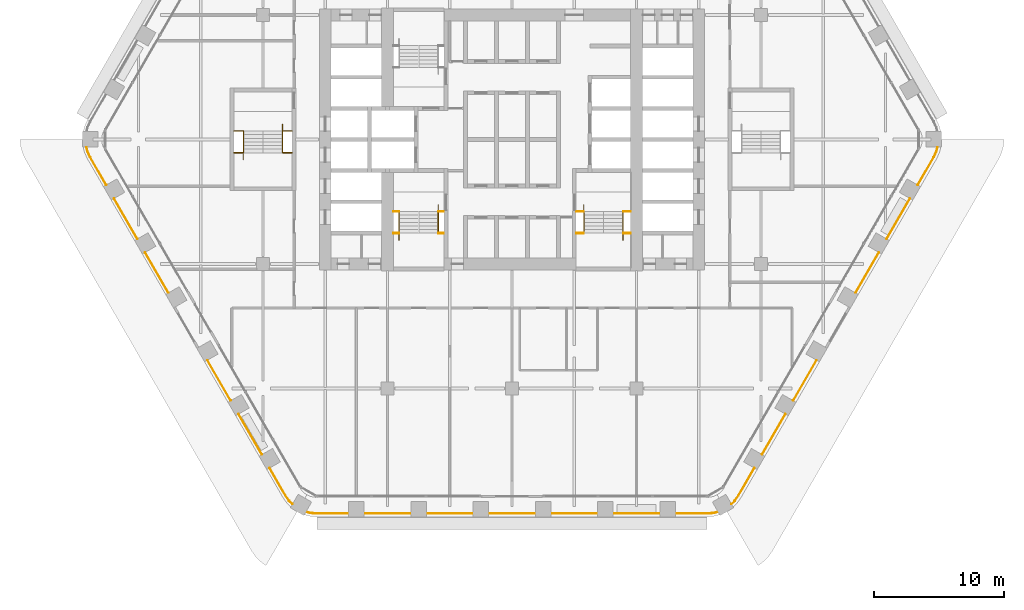
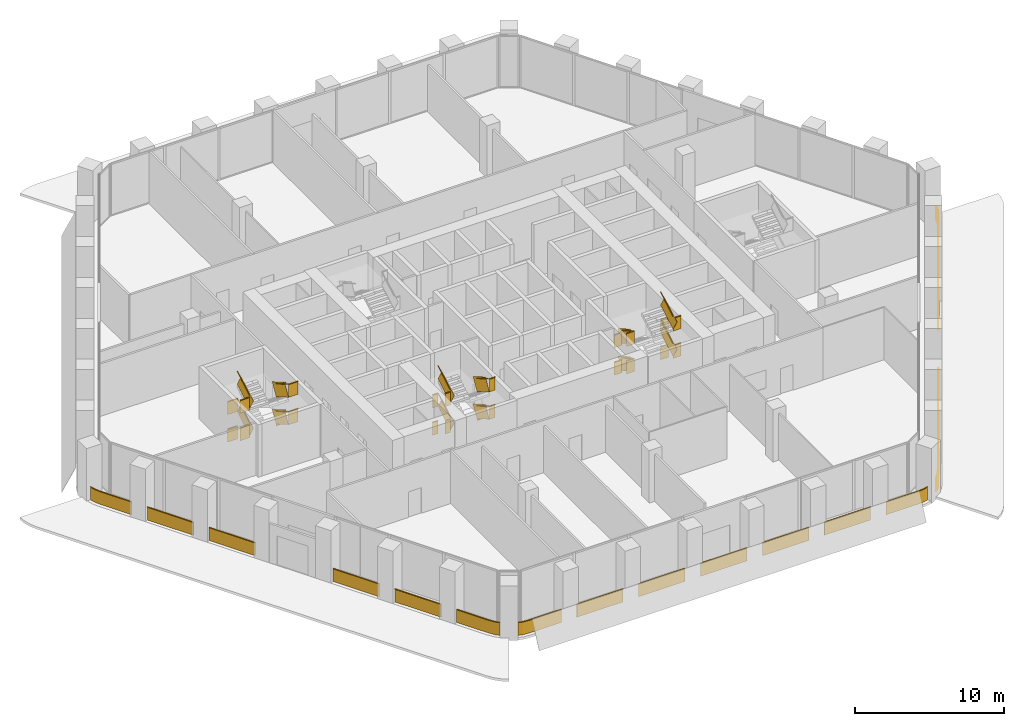
# One storey, part 22 of 23: 9 railings.
"""IFC4 building model written with IfcOpenShell, lengths in metres."""

from ifc_helpers import new_model, si_unit, direction, frame, frame_2d, origin, origin_2d, place, context, subcontext, project, spatial, rectangle, extrude, material, type_object, element, save


model = new_model("IFC4")

# Units and contexts
model_context = context("Model", 3, precision=1e-05, world=origin(), true_north=direction((0.0, 1.0)))
body_context = subcontext(model_context, "Body", "Model", "MODEL_VIEW")
ifc_project = project(units=[si_unit("LENGTHUNIT", "METRE"), si_unit("AREAUNIT", "SQUARE_METRE"), si_unit("VOLUMEUNIT", "CUBIC_METRE"), si_unit("PLANEANGLEUNIT", "RADIAN"), si_unit("MASSUNIT", "GRAM", prefix="KILO")], contexts=[model_context])

# Site, building, storey
site_placement = place(None, origin())
site = spatial("IfcSite", under=ifc_project, at=site_placement, CompositionType="ELEMENT")
building_placement = place(site_placement, origin())
building = spatial("IfcBuilding", under=site, at=building_placement, Name="Kolab Exchange Tower", CompositionType="ELEMENT")
storey_placement = place(building_placement, frame((0.0, 0.0, 77.89990234375)))
storey = spatial("IfcBuildingStorey", under=building, at=storey_placement, Name="L14", CompositionType="ELEMENT", Elevation=77.89990234375)

# Railings
ifc_material_1 = material(Name="Stainless steel 316", Category="steel")
railing_type_1 = type_object("IfcRailingType", Name="GUARD 1100", PredefinedType="GUARDRAIL", material=ifc_material_1)
railing_1_placement = place(storey_placement, frame((-9.14990234375, -5.550048828125, 0.0)))
element("IfcRailing", 1, at=railing_1_placement, inside=storey, type_object=railing_type_1, Name="Guard ST3", PredefinedType="GUARDRAIL", context=body_context, shape_type="SweptSolid", body=[
    extrude(rectangle(XDim=0.05, YDim=0.05, at=origin_2d()), frame((0.0, 0.0, 1.0751953125), z_axis=(1.0, 0.0, 0.0), x_axis=(0.0, 1.0, 0.0)), (0.0, 0.0, 1.0), 0.43994140625),
    extrude(rectangle(XDim=0.012, YDim=1.05009765625, at=frame_2d((0.0, 0.525146484375))), frame((0.0, 0.0, 0.0), z_axis=(1.0, 0.0, 0.0), x_axis=(0.0, 1.0, 0.0)), (0.0, 0.0, 1.0), 0.43994140625),
    extrude(rectangle(XDim=0.05, YDim=0.05, at=origin_2d()), frame((3.4599609375, 0.0, 1.0751953125), z_axis=(1.0, 0.0, 0.0), x_axis=(0.0, 1.0, 0.0)), (0.0, 0.0, 1.0), 0.43994140625),
    extrude(rectangle(XDim=0.012, YDim=1.05009765625, at=frame_2d((0.0, 0.525146484375))), frame((3.4599609375, 0.0, 0.0), z_axis=(1.0, 0.0, 0.0), x_axis=(0.0, 1.0, 0.0)), (0.0, 0.0, 1.0), 0.43994140625),
    extrude(rectangle(XDim=0.05, YDim=0.05, at=origin_2d()), frame((0.0, -1.679931640625, 2.2001953125), z_axis=(1.0, 0.0, 0.0), x_axis=(0.0, 1.0, 0.0)), (0.0, 0.0, 1.0), 0.43994140625),
    extrude(rectangle(XDim=0.012, YDim=1.05009765625, at=frame_2d((0.0, 0.525146484375))), frame((0.0, -1.679931640625, 1.125), z_axis=(1.0, 0.0, 0.0), x_axis=(0.0, 1.0, 0.0)), (0.0, 0.0, 1.0), 0.43994140625),
    extrude(rectangle(XDim=0.05, YDim=0.05, at=origin_2d()), frame((3.4599609375, -1.679931640625, 2.2001953125), z_axis=(1.0, 0.0, 0.0), x_axis=(0.0, 1.0, 0.0)), (0.0, 0.0, 1.0), 0.43994140625),
    extrude(rectangle(XDim=0.012, YDim=1.05009765625, at=frame_2d((0.0, 0.525146484375))), frame((3.4599609375, -1.679931640625, 1.125), z_axis=(1.0, 0.0, 0.0), x_axis=(0.0, 1.0, 0.0)), (0.0, 0.0, 1.0), 0.43994140625),
    extrude(rectangle(XDim=0.05, YDim=0.05, at=origin_2d()), frame((0.0, 0.0, 3.3251953125), z_axis=(1.0, 0.0, 0.0), x_axis=(0.0, 1.0, 0.0)), (0.0, 0.0, 1.0), 0.43994140625),
    extrude(rectangle(XDim=0.012, YDim=1.05009765625, at=frame_2d((0.0, 0.525146484375))), frame((0.0, 0.0, 2.25), z_axis=(1.0, 0.0, 0.0), x_axis=(0.0, 1.0, 0.0)), (0.0, 0.0, 1.0), 0.43994140625),
    extrude(rectangle(XDim=0.05, YDim=0.05, at=origin_2d()), frame((3.4599609375, 0.0, 3.3251953125), z_axis=(1.0, 0.0, 0.0), x_axis=(0.0, 1.0, 0.0)), (0.0, 0.0, 1.0), 0.43994140625),
    extrude(rectangle(XDim=0.012, YDim=1.05009765625, at=frame_2d((0.0, 0.525146484375))), frame((3.4599609375, 0.0, 2.25), z_axis=(1.0, 0.0, 0.0), x_axis=(0.0, 1.0, 0.0)), (0.0, 0.0, 1.0), 0.43994140625),
    extrude(rectangle(XDim=0.05, YDim=0.05, at=origin_2d()), frame((0.0, -1.679931640625, 4.4501953125), z_axis=(1.0, 0.0, 0.0), x_axis=(0.0, 1.0, 0.0)), (0.0, 0.0, 1.0), 0.43994140625),
    extrude(rectangle(XDim=0.012, YDim=1.05009765625, at=frame_2d((0.0, 0.525146484375))), frame((0.0, -1.679931640625, 3.375), z_axis=(1.0, 0.0, 0.0), x_axis=(0.0, 1.0, 0.0)), (0.0, 0.0, 1.0), 0.43994140625),
    extrude(rectangle(XDim=0.05, YDim=0.05, at=origin_2d()), frame((3.4599609375, -1.679931640625, 4.4501953125), z_axis=(1.0, 0.0, 0.0), x_axis=(0.0, 1.0, 0.0)), (0.0, 0.0, 1.0), 0.43994140625),
    extrude(rectangle(XDim=0.012, YDim=1.05009765625, at=frame_2d((0.0, 0.525146484375))), frame((3.4599609375, -1.679931640625, 3.375), z_axis=(1.0, 0.0, 0.0), x_axis=(0.0, 1.0, 0.0)), (0.0, 0.0, 1.0), 0.43994140625),
])
railing_2_placement = place(storey_placement, frame((-5.68994140625, -5.550048828125, 0.160888671875)))
element("IfcRailing", 2, at=railing_2_placement, inside=storey, type_object=railing_type_1, Name="Handrail guard ST3", PredefinedType="GUARDRAIL", context=body_context, shape_type="SweptSolid", body=[
    extrude(rectangle(XDim=0.05, YDim=0.05, at=origin_2d()), frame((0.0, 0.0, 1.0751953125), z_axis=(0.0, -0.867318599139, 0.497753400378), x_axis=(1.0, 0.0, 0.0)), (0.0, 0.0, 1.0), 1.93701171875),
    extrude(rectangle(XDim=0.012, YDim=1.05009765625, at=frame_2d((0.0, 0.525146484375))), frame((0.0, 0.0, 0.0), z_axis=(0.0, -0.867318599139, 0.497753400378), x_axis=(1.0, 0.0, 0.0)), (0.0, 0.0, 1.0), 1.93701171875),
    extrude(rectangle(XDim=0.05, YDim=0.05, at=origin_2d()), frame((-3.02001953125, -1.679931640625, 2.2001953125), z_axis=(0.0, 0.867318599139, 0.497753400378), x_axis=(-1.0, 0.0, 0.0)), (0.0, 0.0, 1.0), 1.93701171875),
    extrude(rectangle(XDim=0.012, YDim=1.05009765625, at=frame_2d((0.0, 0.525146484375))), frame((-3.02001953125, -1.679931640625, 1.125), z_axis=(0.0, 0.867318599139, 0.497753400378), x_axis=(-1.0, 0.0, 0.0)), (0.0, 0.0, 1.0), 1.93701171875),
    extrude(rectangle(XDim=0.05, YDim=0.05, at=origin_2d()), frame((0.0, 0.0, 3.3251953125), z_axis=(0.0, -0.867318599139, 0.497753400378), x_axis=(1.0, 0.0, 0.0)), (0.0, 0.0, 1.0), 1.93701171875),
    extrude(rectangle(XDim=0.012, YDim=1.05009765625, at=frame_2d((0.0, 0.525146484375))), frame((0.0, 0.0, 2.25), z_axis=(0.0, -0.867318599139, 0.497753400378), x_axis=(1.0, 0.0, 0.0)), (0.0, 0.0, 1.0), 1.93701171875),
    extrude(rectangle(XDim=0.05, YDim=0.05, at=origin_2d()), frame((-3.02001953125, -1.679931640625, 4.4501953125), z_axis=(0.0, 0.867318599139, 0.497753400378), x_axis=(-1.0, 0.0, 0.0)), (0.0, 0.0, 1.0), 1.93701171875),
    extrude(rectangle(XDim=0.012, YDim=1.05009765625, at=frame_2d((0.0, 0.525146484375))), frame((-3.02001953125, -1.679931640625, 3.375), z_axis=(0.0, 0.867318599139, 0.497753400378), x_axis=(-1.0, 0.0, 0.0)), (0.0, 0.0, 1.0), 1.93701171875),
])
railing_3_placement = place(storey_placement, frame((4.949951171875, -5.550048828125, 0.0)))
element("IfcRailing", 3, at=railing_3_placement, inside=storey, type_object=railing_type_1, Name="Guard ST2", PredefinedType="GUARDRAIL", context=body_context, shape_type="SweptSolid", body=[
    extrude(rectangle(XDim=0.05, YDim=0.05, at=origin_2d()), frame((0.0, 0.0, 1.0751953125), z_axis=(1.0, 0.0, 0.0), x_axis=(0.0, 1.0, 0.0)), (0.0, 0.0, 1.0), 0.590087890625),
    extrude(rectangle(XDim=0.012, YDim=1.05009765625, at=frame_2d((0.0, 0.525146484375))), frame((0.0, 0.0, 0.0), z_axis=(1.0, 0.0, 0.0), x_axis=(0.0, 1.0, 0.0)), (0.0, 0.0, 1.0), 0.590087890625),
    extrude(rectangle(XDim=0.05, YDim=0.05, at=origin_2d()), frame((3.610107421875, 0.0, 1.0751953125), z_axis=(1.0, 0.0, 0.0), x_axis=(0.0, 1.0, 0.0)), (0.0, 0.0, 1.0), 0.58984375),
    extrude(rectangle(XDim=0.012, YDim=1.05009765625, at=frame_2d((0.0, 0.525146484375))), frame((3.610107421875, 0.0, 0.0), z_axis=(1.0, 0.0, 0.0), x_axis=(0.0, 1.0, 0.0)), (0.0, 0.0, 1.0), 0.58984375),
    extrude(rectangle(XDim=0.05, YDim=0.05, at=origin_2d()), frame((0.0, -1.679931640625, 2.2001953125), z_axis=(1.0, 0.0, 0.0), x_axis=(0.0, 1.0, 0.0)), (0.0, 0.0, 1.0), 0.590087890625),
    extrude(rectangle(XDim=0.012, YDim=1.05009765625, at=frame_2d((0.0, 0.525146484375))), frame((0.0, -1.679931640625, 1.125), z_axis=(1.0, 0.0, 0.0), x_axis=(0.0, 1.0, 0.0)), (0.0, 0.0, 1.0), 0.590087890625),
    extrude(rectangle(XDim=0.05, YDim=0.05, at=origin_2d()), frame((3.610107421875, -1.679931640625, 2.2001953125), z_axis=(1.0, 0.0, 0.0), x_axis=(0.0, 1.0, 0.0)), (0.0, 0.0, 1.0), 0.58984375),
    extrude(rectangle(XDim=0.012, YDim=1.05009765625, at=frame_2d((0.0, 0.525146484375))), frame((3.610107421875, -1.679931640625, 1.125), z_axis=(1.0, 0.0, 0.0), x_axis=(0.0, 1.0, 0.0)), (0.0, 0.0, 1.0), 0.58984375),
    extrude(rectangle(XDim=0.05, YDim=0.05, at=origin_2d()), frame((0.0, 0.0, 3.3251953125), z_axis=(1.0, 0.0, 0.0), x_axis=(0.0, 1.0, 0.0)), (0.0, 0.0, 1.0), 0.590087890625),
    extrude(rectangle(XDim=0.012, YDim=1.05009765625, at=frame_2d((0.0, 0.525146484375))), frame((0.0, 0.0, 2.25), z_axis=(1.0, 0.0, 0.0), x_axis=(0.0, 1.0, 0.0)), (0.0, 0.0, 1.0), 0.590087890625),
    extrude(rectangle(XDim=0.05, YDim=0.05, at=origin_2d()), frame((3.610107421875, 0.0, 3.3251953125), z_axis=(1.0, 0.0, 0.0), x_axis=(0.0, 1.0, 0.0)), (0.0, 0.0, 1.0), 0.58984375),
    extrude(rectangle(XDim=0.012, YDim=1.05009765625, at=frame_2d((0.0, 0.525146484375))), frame((3.610107421875, 0.0, 2.25), z_axis=(1.0, 0.0, 0.0), x_axis=(0.0, 1.0, 0.0)), (0.0, 0.0, 1.0), 0.58984375),
    extrude(rectangle(XDim=0.05, YDim=0.05, at=origin_2d()), frame((0.0, -1.679931640625, 4.4501953125), z_axis=(1.0, 0.0, 0.0), x_axis=(0.0, 1.0, 0.0)), (0.0, 0.0, 1.0), 0.590087890625),
    extrude(rectangle(XDim=0.012, YDim=1.05009765625, at=frame_2d((0.0, 0.525146484375))), frame((0.0, -1.679931640625, 3.375), z_axis=(1.0, 0.0, 0.0), x_axis=(0.0, 1.0, 0.0)), (0.0, 0.0, 1.0), 0.590087890625),
    extrude(rectangle(XDim=0.05, YDim=0.05, at=origin_2d()), frame((3.610107421875, -1.679931640625, 4.4501953125), z_axis=(1.0, 0.0, 0.0), x_axis=(0.0, 1.0, 0.0)), (0.0, 0.0, 1.0), 0.58984375),
    extrude(rectangle(XDim=0.012, YDim=1.05009765625, at=frame_2d((0.0, 0.525146484375))), frame((3.610107421875, -1.679931640625, 3.375), z_axis=(1.0, 0.0, 0.0), x_axis=(0.0, 1.0, 0.0)), (0.0, 0.0, 1.0), 0.58984375),
])
railing_4_placement = place(storey_placement, frame((5.5400390625, -5.550048828125, 0.160888671875)))
element("IfcRailing", 4, at=railing_4_placement, inside=storey, type_object=railing_type_1, Name="Handrail guard ST2", PredefinedType="GUARDRAIL", context=body_context, shape_type="SweptSolid", body=[
    extrude(rectangle(XDim=0.05, YDim=0.05, at=origin_2d()), frame((0.0, 0.0, 1.0751953125), z_axis=(0.0, -0.867318599139, 0.497753400378), x_axis=(1.0, 0.0, 0.0)), (0.0, 0.0, 1.0), 1.93701171875),
    extrude(rectangle(XDim=0.012, YDim=1.05009765625, at=frame_2d((0.0, 0.525146484375))), frame((0.0, 0.0, 0.0), z_axis=(0.0, -0.867318599139, 0.497753400378), x_axis=(1.0, 0.0, 0.0)), (0.0, 0.0, 1.0), 1.93701171875),
    extrude(rectangle(XDim=0.05, YDim=0.05, at=origin_2d()), frame((3.02001953125, -1.679931640625, 2.2001953125), z_axis=(0.0, 0.867318599139, 0.497753400378), x_axis=(-1.0, 0.0, 0.0)), (0.0, 0.0, 1.0), 1.93701171875),
    extrude(rectangle(XDim=0.012, YDim=1.05009765625, at=frame_2d((0.0, 0.525146484375))), frame((3.02001953125, -1.679931640625, 1.125), z_axis=(0.0, 0.867318599139, 0.497753400378), x_axis=(-1.0, 0.0, 0.0)), (0.0, 0.0, 1.0), 1.93701171875),
    extrude(rectangle(XDim=0.05, YDim=0.05, at=origin_2d()), frame((0.0, 0.0, 3.3251953125), z_axis=(0.0, -0.867318599139, 0.497753400378), x_axis=(1.0, 0.0, 0.0)), (0.0, 0.0, 1.0), 1.93701171875),
    extrude(rectangle(XDim=0.012, YDim=1.05009765625, at=frame_2d((0.0, 0.525146484375))), frame((0.0, 0.0, 2.25), z_axis=(0.0, -0.867318599139, 0.497753400378), x_axis=(1.0, 0.0, 0.0)), (0.0, 0.0, 1.0), 1.93701171875),
    extrude(rectangle(XDim=0.05, YDim=0.05, at=origin_2d()), frame((3.02001953125, -1.679931640625, 4.4501953125), z_axis=(0.0, 0.867318599139, 0.497753400378), x_axis=(-1.0, 0.0, 0.0)), (0.0, 0.0, 1.0), 1.93701171875),
    extrude(rectangle(XDim=0.012, YDim=1.05009765625, at=frame_2d((0.0, 0.525146484375))), frame((3.02001953125, -1.679931640625, 3.375), z_axis=(0.0, 0.867318599139, 0.497753400378), x_axis=(-1.0, 0.0, 0.0)), (0.0, 0.0, 1.0), 1.93701171875),
])
railing_5_placement = place(storey_placement, frame((-21.449951171875, 0.64990234375, 0.0)))
element("IfcRailing", 5, at=railing_5_placement, inside=storey, type_object=railing_type_1, Name="Guard ST5", PredefinedType="GUARDRAIL", context=body_context, shape_type="SweptSolid", body=[
    extrude(rectangle(XDim=0.05, YDim=0.05, at=origin_2d()), frame((0.0, 0.0, 1.0751953125), z_axis=(1.0, 0.0, 0.0), x_axis=(0.0, 1.0, 0.0)), (0.0, 0.0, 1.0), 0.739990234375),
    extrude(rectangle(XDim=0.012, YDim=1.05009765625, at=frame_2d((0.0, 0.525146484375))), frame((0.0, 0.0, 0.0), z_axis=(1.0, 0.0, 0.0), x_axis=(0.0, 1.0, 0.0)), (0.0, 0.0, 1.0), 0.739990234375),
    extrude(rectangle(XDim=0.05, YDim=0.05, at=origin_2d()), frame((3.760009765625, 0.0, 1.0751953125), z_axis=(1.0, 0.0, 0.0), x_axis=(0.0, 1.0, 0.0)), (0.0, 0.0, 1.0), 0.739990234375),
    extrude(rectangle(XDim=0.012, YDim=1.05009765625, at=frame_2d((0.0, 0.525146484375))), frame((3.760009765625, 0.0, 0.0), z_axis=(1.0, 0.0, 0.0), x_axis=(0.0, 1.0, 0.0)), (0.0, 0.0, 1.0), 0.739990234375),
    extrude(rectangle(XDim=0.05, YDim=0.05, at=origin_2d()), frame((0.0, -1.679931640625, 2.2001953125), z_axis=(1.0, 0.0, 0.0), x_axis=(0.0, 1.0, 0.0)), (0.0, 0.0, 1.0), 0.739990234375),
    extrude(rectangle(XDim=0.012, YDim=1.05009765625, at=frame_2d((0.0, 0.525146484375))), frame((0.0, -1.679931640625, 1.125), z_axis=(1.0, 0.0, 0.0), x_axis=(0.0, 1.0, 0.0)), (0.0, 0.0, 1.0), 0.739990234375),
    extrude(rectangle(XDim=0.05, YDim=0.05, at=origin_2d()), frame((3.760009765625, -1.679931640625, 2.2001953125), z_axis=(1.0, 0.0, 0.0), x_axis=(0.0, 1.0, 0.0)), (0.0, 0.0, 1.0), 0.739990234375),
    extrude(rectangle(XDim=0.012, YDim=1.05009765625, at=frame_2d((0.0, 0.525146484375))), frame((3.760009765625, -1.679931640625, 1.125), z_axis=(1.0, 0.0, 0.0), x_axis=(0.0, 1.0, 0.0)), (0.0, 0.0, 1.0), 0.739990234375),
    extrude(rectangle(XDim=0.05, YDim=0.05, at=origin_2d()), frame((0.0, 0.0, 3.3251953125), z_axis=(1.0, 0.0, 0.0), x_axis=(0.0, 1.0, 0.0)), (0.0, 0.0, 1.0), 0.739990234375),
    extrude(rectangle(XDim=0.012, YDim=1.05009765625, at=frame_2d((0.0, 0.525146484375))), frame((0.0, 0.0, 2.25), z_axis=(1.0, 0.0, 0.0), x_axis=(0.0, 1.0, 0.0)), (0.0, 0.0, 1.0), 0.739990234375),
    extrude(rectangle(XDim=0.05, YDim=0.05, at=origin_2d()), frame((3.760009765625, 0.0, 3.3251953125), z_axis=(1.0, 0.0, 0.0), x_axis=(0.0, 1.0, 0.0)), (0.0, 0.0, 1.0), 0.739990234375),
    extrude(rectangle(XDim=0.012, YDim=1.05009765625, at=frame_2d((0.0, 0.525146484375))), frame((3.760009765625, 0.0, 2.25), z_axis=(1.0, 0.0, 0.0), x_axis=(0.0, 1.0, 0.0)), (0.0, 0.0, 1.0), 0.739990234375),
    extrude(rectangle(XDim=0.05, YDim=0.05, at=origin_2d()), frame((0.0, -1.679931640625, 4.4501953125), z_axis=(1.0, 0.0, 0.0), x_axis=(0.0, 1.0, 0.0)), (0.0, 0.0, 1.0), 0.739990234375),
    extrude(rectangle(XDim=0.012, YDim=1.05009765625, at=frame_2d((0.0, 0.525146484375))), frame((0.0, -1.679931640625, 3.375), z_axis=(1.0, 0.0, 0.0), x_axis=(0.0, 1.0, 0.0)), (0.0, 0.0, 1.0), 0.739990234375),
    extrude(rectangle(XDim=0.05, YDim=0.05, at=origin_2d()), frame((3.760009765625, -1.679931640625, 4.4501953125), z_axis=(1.0, 0.0, 0.0), x_axis=(0.0, 1.0, 0.0)), (0.0, 0.0, 1.0), 0.739990234375),
    extrude(rectangle(XDim=0.012, YDim=1.05009765625, at=frame_2d((0.0, 0.525146484375))), frame((3.760009765625, -1.679931640625, 3.375), z_axis=(1.0, 0.0, 0.0), x_axis=(0.0, 1.0, 0.0)), (0.0, 0.0, 1.0), 0.739990234375),
])
railing_6_placement = place(storey_placement, frame((-17.68994140625, 0.64990234375, 0.160888671875)))
element("IfcRailing", 6, at=railing_6_placement, inside=storey, type_object=railing_type_1, Name="Handrail guard ST5", PredefinedType="GUARDRAIL", context=body_context, shape_type="SweptSolid", body=[
    extrude(rectangle(XDim=0.05, YDim=0.05, at=origin_2d()), frame((0.0, 0.0, 1.0751953125), z_axis=(0.0, -0.867318599139, 0.497753400378), x_axis=(1.0, 0.0, 0.0)), (0.0, 0.0, 1.0), 1.93701171875),
    extrude(rectangle(XDim=0.012, YDim=1.05009765625, at=frame_2d((0.0, 0.525146484375))), frame((0.0, 0.0, 0.0), z_axis=(0.0, -0.867318599139, 0.497753400378), x_axis=(1.0, 0.0, 0.0)), (0.0, 0.0, 1.0), 1.93701171875),
    extrude(rectangle(XDim=0.05, YDim=0.05, at=origin_2d()), frame((-3.02001953125, -1.679931640625, 2.2001953125), z_axis=(0.0, 0.867318599139, 0.497753400378), x_axis=(-1.0, 0.0, 0.0)), (0.0, 0.0, 1.0), 1.93701171875),
    extrude(rectangle(XDim=0.012, YDim=1.05009765625, at=frame_2d((0.0, 0.525146484375))), frame((-3.02001953125, -1.679931640625, 1.125), z_axis=(0.0, 0.867318599139, 0.497753400378), x_axis=(-1.0, 0.0, 0.0)), (0.0, 0.0, 1.0), 1.93701171875),
    extrude(rectangle(XDim=0.05, YDim=0.05, at=origin_2d()), frame((0.0, 0.0, 3.3251953125), z_axis=(0.0, -0.867318599139, 0.497753400378), x_axis=(1.0, 0.0, 0.0)), (0.0, 0.0, 1.0), 1.93701171875),
    extrude(rectangle(XDim=0.012, YDim=1.05009765625, at=frame_2d((0.0, 0.525146484375))), frame((0.0, 0.0, 2.25), z_axis=(0.0, -0.867318599139, 0.497753400378), x_axis=(1.0, 0.0, 0.0)), (0.0, 0.0, 1.0), 1.93701171875),
    extrude(rectangle(XDim=0.05, YDim=0.05, at=origin_2d()), frame((-3.02001953125, -1.679931640625, 4.4501953125), z_axis=(0.0, 0.867318599139, 0.497753400378), x_axis=(-1.0, 0.0, 0.0)), (0.0, 0.0, 1.0), 1.93701171875),
    extrude(rectangle(XDim=0.012, YDim=1.05009765625, at=frame_2d((0.0, 0.525146484375))), frame((-3.02001953125, -1.679931640625, 3.375), z_axis=(0.0, 0.867318599139, 0.497753400378), x_axis=(-1.0, 0.0, 0.0)), (0.0, 0.0, 1.0), 1.93701171875),
])
ifc_material_2 = material(Name="Steel S235", Category="steel")
railing_type_2 = type_object("IfcRailingType", Name="GUARD 1100 GLASS BALUSTRADE AND STEEL TOP RAIL", PredefinedType="GUARDRAIL", material=ifc_material_2)
railing_7_placement = place(storey_placement, frame((16.9208984375, -28.119873046875, 0.0)))
element("IfcRailing", 7, at=railing_7_placement, inside=storey, type_object=railing_type_2, Name="Guard", PredefinedType="GUARDRAIL", context=body_context, shape_type="SweptSolid", body=[
    extrude(rectangle(XDim=0.05, YDim=0.05, at=origin_2d()), frame((0.0, 0.0, 1.0751953125), z_axis=(0.707106781187, 0.707106781187, 0.0), x_axis=(-0.707106781187, 0.707106781187, 0.0)), (0.0, 0.0, 1.0), 0.358642578125),
    extrude(rectangle(XDim=0.012, YDim=1.05009765625, at=frame_2d((0.0, 0.525146484375))), frame((0.0, 0.0, 0.0), z_axis=(0.707106781187, 0.707106781187, 0.0), x_axis=(-0.707106781187, 0.707106781187, 0.0)), (0.0, 0.0, 1.0), 0.358642578125),
    extrude(rectangle(XDim=0.05, YDim=0.05, at=origin_2d()), frame((0.253662109375, 0.253662109375, 1.0751953125), z_axis=(0.573359816273, 0.819303680624, 0.0), x_axis=(-0.819303680624, 0.573359816273, 0.0)), (0.0, 0.0, 1.0), 0.4794921875),
    extrude(rectangle(XDim=0.012, YDim=1.05009765625, at=frame_2d((0.0, 0.525146484375))), frame((0.253662109375, 0.253662109375, 0.0), z_axis=(0.573359816273, 0.819303680624, 0.0), x_axis=(-0.819303680624, 0.573359816273, 0.0)), (0.0, 0.0, 1.0), 0.4794921875),
    extrude(rectangle(XDim=0.05, YDim=0.05, at=origin_2d()), frame((0.528564453125, 0.646484375, 1.0751953125), z_axis=(0.500064973171, 0.865987888257, 0.0), x_axis=(-0.865987888257, 0.500064973171, 0.0)), (0.0, 0.0, 1.0), 2.468017578125),
    extrude(rectangle(XDim=0.012, YDim=1.05009765625, at=frame_2d((0.0, 0.525146484375))), frame((0.528564453125, 0.646484375, 0.0), z_axis=(0.500064973171, 0.865987888257, 0.0), x_axis=(-0.865987888257, 0.500064973171, 0.0)), (0.0, 0.0, 1.0), 2.468017578125),
    extrude(rectangle(XDim=0.05, YDim=0.05, at=origin_2d()), frame((2.362548828125, 3.822998046875, 1.0751953125), z_axis=(0.500012057535, 0.866018442252, 0.0), x_axis=(-0.866018442252, 0.500012057535, 0.0)), (0.0, 0.0, 1.0), 3.60009765625),
    extrude(rectangle(XDim=0.012, YDim=1.05009765625, at=frame_2d((0.0, 0.525146484375))), frame((2.362548828125, 3.822998046875, 0.0), z_axis=(0.500012057535, 0.866018442252, 0.0), x_axis=(-0.866018442252, 0.500012057535, 0.0)), (0.0, 0.0, 1.0), 3.60009765625),
    extrude(rectangle(XDim=0.05, YDim=0.05, at=origin_2d()), frame((4.7626953125, 7.97998046875, 1.0751953125), z_axis=(0.499961193289, 0.866047807691, 0.0), x_axis=(-0.866047807691, 0.499961193289, 0.0)), (0.0, 0.0, 1.0), 3.599853515625),
    extrude(rectangle(XDim=0.012, YDim=1.05009765625, at=frame_2d((0.0, 0.525146484375))), frame((4.7626953125, 7.97998046875, 0.0), z_axis=(0.499961193289, 0.866047807691, 0.0), x_axis=(-0.866047807691, 0.499961193289, 0.0)), (0.0, 0.0, 1.0), 3.599853515625),
    extrude(rectangle(XDim=0.05, YDim=0.05, at=origin_2d()), frame((9.5625, 16.293701171875, 1.0751953125), z_axis=(0.500012057535, 0.866018442252, 0.0), x_axis=(-0.866018442252, 0.500012057535, 0.0)), (0.0, 0.0, 1.0), 3.60009765625),
    extrude(rectangle(XDim=0.012, YDim=1.05009765625, at=frame_2d((0.0, 0.525146484375))), frame((9.5625, 16.293701171875, 0.0), z_axis=(0.500012057535, 0.866018442252, 0.0), x_axis=(-0.866018442252, 0.500012057535, 0.0)), (0.0, 0.0, 1.0), 3.60009765625),
    extrude(rectangle(XDim=0.05, YDim=0.05, at=origin_2d()), frame((11.962646484375, 20.45068359375, 1.0751953125), z_axis=(0.500012057535, 0.866018442252, 0.0), x_axis=(-0.866018442252, 0.500012057535, 0.0)), (0.0, 0.0, 1.0), 3.60009765625),
    extrude(rectangle(XDim=0.012, YDim=1.05009765625, at=frame_2d((0.0, 0.525146484375))), frame((11.962646484375, 20.45068359375, 0.0), z_axis=(0.500012057535, 0.866018442252, 0.0), x_axis=(-0.866018442252, 0.500012057535, 0.0)), (0.0, 0.0, 1.0), 3.60009765625),
    extrude(rectangle(XDim=0.05, YDim=0.05, at=origin_2d()), frame((14.362548828125, 24.607666015625, 1.0751953125), z_axis=(0.500064973171, 0.865987888257, 0.0), x_axis=(-0.865987888257, 0.500064973171, 0.0)), (0.0, 0.0, 1.0), 2.468017578125),
    extrude(rectangle(XDim=0.012, YDim=1.05009765625, at=frame_2d((0.0, 0.525146484375))), frame((14.362548828125, 24.607666015625, 0.0), z_axis=(0.500064973171, 0.865987888257, 0.0), x_axis=(-0.865987888257, 0.500064973171, 0.0)), (0.0, 0.0, 1.0), 2.468017578125),
    extrude(rectangle(XDim=0.05, YDim=0.05, at=origin_2d()), frame((15.5966796875, 26.744873046875, 1.0751953125), z_axis=(0.422383329074, 0.906417300872, 0.0), x_axis=(-0.906417300872, 0.422383329074, 0.0)), (0.0, 0.0, 1.0), 0.479248046875),
    extrude(rectangle(XDim=0.012, YDim=1.05009765625, at=frame_2d((0.0, 0.525146484375))), frame((15.5966796875, 26.744873046875, 0.0), z_axis=(0.422383329074, 0.906417300872, 0.0), x_axis=(-0.906417300872, 0.422383329074, 0.0)), (0.0, 0.0, 1.0), 0.479248046875),
    extrude(rectangle(XDim=0.05, YDim=0.05, at=origin_2d()), frame((15.799072265625, 27.17919921875, 1.0751953125), z_axis=(0.259144041577, 0.965838685141, 0.0), x_axis=(-0.965838685141, 0.259144041577, 0.0)), (0.0, 0.0, 1.0), 0.35888671875),
    extrude(rectangle(XDim=0.012, YDim=1.05009765625, at=frame_2d((0.0, 0.525146484375))), frame((15.799072265625, 27.17919921875, 0.0), z_axis=(0.259144041577, 0.965838685141, 0.0), x_axis=(-0.965838685141, 0.259144041577, 0.0)), (0.0, 0.0, 1.0), 0.35888671875),
])
railing_8_placement = place(storey_placement, frame((-15.89208984375, -28.7138671875, 0.0)))
element("IfcRailing", 8, at=railing_8_placement, inside=storey, type_object=railing_type_2, Name="Guard", PredefinedType="GUARDRAIL", context=body_context, shape_type="SweptSolid", body=[
    extrude(rectangle(XDim=0.05, YDim=0.05, at=origin_2d()), frame((0.0, 0.0, 1.0751953125), z_axis=(0.966008746817, -0.258509382951, 0.0), x_axis=(0.258509382951, 0.966008746817, 0.0)), (0.0, 0.0, 1.0), 0.35888671875),
    extrude(rectangle(XDim=0.012, YDim=1.05009765625, at=frame_2d((0.0, 0.525146484375))), frame((0.0, 0.0, 0.0), z_axis=(0.966008746817, -0.258509382951, 0.0), x_axis=(0.258509382951, 0.966008746817, 0.0)), (0.0, 0.0, 1.0), 0.35888671875),
    extrude(rectangle(XDim=0.05, YDim=0.05, at=origin_2d()), frame((0.3466796875, -0.0927734375, 1.0751953125), z_axis=(0.996200348447, -0.087091134757, 0.0), x_axis=(0.087091134757, 0.996200348447, 0.0)), (0.0, 0.0, 1.0), 0.479248046875),
    extrude(rectangle(XDim=0.012, YDim=1.05009765625, at=frame_2d((0.0, 0.525146484375))), frame((0.3466796875, -0.0927734375, 0.0), z_axis=(0.996200348447, -0.087091134757, 0.0), x_axis=(0.087091134757, 0.996200348447, 0.0)), (0.0, 0.0, 1.0), 0.479248046875),
    extrude(rectangle(XDim=0.05, YDim=0.05, at=origin_2d()), frame((0.82421875, -0.134521484375, 1.0751953125), z_axis=(1.0, 0.0, 0.0), x_axis=(0.0, 1.0, 0.0)), (0.0, 0.0, 1.0), 2.4677734375),
    extrude(rectangle(XDim=0.012, YDim=1.05009765625, at=frame_2d((0.0, 0.525146484375))), frame((0.82421875, -0.134521484375, 0.0), z_axis=(1.0, 0.0, 0.0), x_axis=(0.0, 1.0, 0.0)), (0.0, 0.0, 1.0), 2.4677734375),
    extrude(rectangle(XDim=0.05, YDim=0.05, at=origin_2d()), frame((4.4921875, -0.134521484375, 1.0751953125), z_axis=(1.0, 0.0, 0.0), x_axis=(0.0, 1.0, 0.0)), (0.0, 0.0, 1.0), 3.599853515625),
    extrude(rectangle(XDim=0.012, YDim=1.05009765625, at=frame_2d((0.0, 0.525146484375))), frame((4.4921875, -0.134521484375, 0.0), z_axis=(1.0, 0.0, 0.0), x_axis=(0.0, 1.0, 0.0)), (0.0, 0.0, 1.0), 3.599853515625),
    extrude(rectangle(XDim=0.05, YDim=0.05, at=origin_2d()), frame((9.2919921875, -0.134521484375, 1.0751953125), z_axis=(1.0, 0.0, 0.0), x_axis=(0.0, 1.0, 0.0)), (0.0, 0.0, 1.0), 3.60009765625),
    extrude(rectangle(XDim=0.012, YDim=1.05009765625, at=frame_2d((0.0, 0.525146484375))), frame((9.2919921875, -0.134521484375, 0.0), z_axis=(1.0, 0.0, 0.0), x_axis=(0.0, 1.0, 0.0)), (0.0, 0.0, 1.0), 3.60009765625),
    extrude(rectangle(XDim=0.05, YDim=0.05, at=origin_2d()), frame((14.092041015625, -0.134521484375, 1.0751953125), z_axis=(1.0, 0.0, 0.0), x_axis=(0.0, 1.0, 0.0)), (0.0, 0.0, 1.0), 3.60009765625),
    extrude(rectangle(XDim=0.012, YDim=1.05009765625, at=frame_2d((0.0, 0.525146484375))), frame((14.092041015625, -0.134521484375, 0.0), z_axis=(1.0, 0.0, 0.0), x_axis=(0.0, 1.0, 0.0)), (0.0, 0.0, 1.0), 3.60009765625),
    extrude(rectangle(XDim=0.05, YDim=0.05, at=origin_2d()), frame((18.89208984375, -0.134521484375, 1.0751953125), z_axis=(1.0, 0.0, 0.0), x_axis=(0.0, 1.0, 0.0)), (0.0, 0.0, 1.0), 3.60009765625),
    extrude(rectangle(XDim=0.012, YDim=1.05009765625, at=frame_2d((0.0, 0.525146484375))), frame((18.89208984375, -0.134521484375, 0.0), z_axis=(1.0, 0.0, 0.0), x_axis=(0.0, 1.0, 0.0)), (0.0, 0.0, 1.0), 3.60009765625),
    extrude(rectangle(XDim=0.05, YDim=0.05, at=origin_2d()), frame((23.692138671875, -0.134521484375, 1.0751953125), z_axis=(1.0, 0.0, 0.0), x_axis=(0.0, 1.0, 0.0)), (0.0, 0.0, 1.0), 3.599853515625),
    extrude(rectangle(XDim=0.012, YDim=1.05009765625, at=frame_2d((0.0, 0.525146484375))), frame((23.692138671875, -0.134521484375, 0.0), z_axis=(1.0, 0.0, 0.0), x_axis=(0.0, 1.0, 0.0)), (0.0, 0.0, 1.0), 3.599853515625),
    extrude(rectangle(XDim=0.05, YDim=0.05, at=origin_2d()), frame((28.4921875, -0.134521484375, 1.0751953125), z_axis=(1.0, 0.0, 0.0), x_axis=(0.0, 1.0, 0.0)), (0.0, 0.0, 1.0), 2.4677734375),
    extrude(rectangle(XDim=0.012, YDim=1.05009765625, at=frame_2d((0.0, 0.525146484375))), frame((28.4921875, -0.134521484375, 0.0), z_axis=(1.0, 0.0, 0.0), x_axis=(0.0, 1.0, 0.0)), (0.0, 0.0, 1.0), 2.4677734375),
    extrude(rectangle(XDim=0.05, YDim=0.05, at=origin_2d()), frame((30.9599609375, -0.134521484375, 1.0751953125), z_axis=(0.996200348447, 0.087091134757, 0.0), x_axis=(-0.087091134757, 0.996200348447, 0.0)), (0.0, 0.0, 1.0), 0.479248046875),
    extrude(rectangle(XDim=0.012, YDim=1.05009765625, at=frame_2d((0.0, 0.525146484375))), frame((30.9599609375, -0.134521484375, 0.0), z_axis=(0.996200348447, 0.087091134757, 0.0), x_axis=(-0.087091134757, 0.996200348447, 0.0)), (0.0, 0.0, 1.0), 0.479248046875),
    extrude(rectangle(XDim=0.05, YDim=0.05, at=origin_2d()), frame((31.4375, -0.0927734375, 1.0751953125), z_axis=(0.966008746817, 0.258509382951, 0.0), x_axis=(-0.258509382951, 0.966008746817, 0.0)), (0.0, 0.0, 1.0), 0.35888671875),
    extrude(rectangle(XDim=0.012, YDim=1.05009765625, at=frame_2d((0.0, 0.525146484375))), frame((31.4375, -0.0927734375, 0.0), z_axis=(0.966008746817, 0.258509382951, 0.0), x_axis=(-0.258509382951, 0.966008746817, 0.0)), (0.0, 0.0, 1.0), 0.35888671875),
])
railing_9_placement = place(storey_placement, frame((-32.81298828125, -0.593994140625, 0.0)))
element("IfcRailing", 9, at=railing_9_placement, inside=storey, type_object=railing_type_2, Name="Guard", PredefinedType="GUARDRAIL", context=body_context, shape_type="SweptSolid", body=[
    extrude(rectangle(XDim=0.05, YDim=0.05, at=origin_2d()), frame((0.0, 0.0, 1.0751953125), z_axis=(0.259144041577, -0.965838685141, 0.0), x_axis=(0.965838685141, 0.259144041577, 0.0)), (0.0, 0.0, 1.0), 0.35888671875),
    extrude(rectangle(XDim=0.012, YDim=1.05009765625, at=frame_2d((0.0, 0.525146484375))), frame((0.0, 0.0, 0.0), z_axis=(0.259144041577, -0.965838685141, 0.0), x_axis=(0.965838685141, 0.259144041577, 0.0)), (0.0, 0.0, 1.0), 0.35888671875),
    extrude(rectangle(XDim=0.05, YDim=0.05, at=origin_2d()), frame((0.093017578125, -0.3466796875, 1.0751953125), z_axis=(0.422383329074, -0.906417300872, 0.0), x_axis=(0.906417300872, 0.422383329074, 0.0)), (0.0, 0.0, 1.0), 0.479248046875),
    extrude(rectangle(XDim=0.012, YDim=1.05009765625, at=frame_2d((0.0, 0.525146484375))), frame((0.093017578125, -0.3466796875, 0.0), z_axis=(0.422383329074, -0.906417300872, 0.0), x_axis=(0.906417300872, 0.422383329074, 0.0)), (0.0, 0.0, 1.0), 0.479248046875),
    extrude(rectangle(XDim=0.05, YDim=0.05, at=origin_2d()), frame((0.29541015625, -0.781005859375, 1.0751953125), z_axis=(0.500064973171, -0.865987888257, 0.0), x_axis=(0.865987888257, 0.500064973171, 0.0)), (0.0, 0.0, 1.0), 2.468017578125),
    extrude(rectangle(XDim=0.012, YDim=1.05009765625, at=frame_2d((0.0, 0.525146484375))), frame((0.29541015625, -0.781005859375, 0.0), z_axis=(0.500064973171, -0.865987888257, 0.0), x_axis=(0.865987888257, 0.500064973171, 0.0)), (0.0, 0.0, 1.0), 2.468017578125),
    extrude(rectangle(XDim=0.05, YDim=0.05, at=origin_2d()), frame((2.12939453125, -3.95751953125, 1.0751953125), z_axis=(0.500012057535, -0.866018442252, 0.0), x_axis=(0.866018442252, 0.500012057535, 0.0)), (0.0, 0.0, 1.0), 3.60009765625),
    extrude(rectangle(XDim=0.012, YDim=1.05009765625, at=frame_2d((0.0, 0.525146484375))), frame((2.12939453125, -3.95751953125, 0.0), z_axis=(0.500012057535, -0.866018442252, 0.0), x_axis=(0.866018442252, 0.500012057535, 0.0)), (0.0, 0.0, 1.0), 3.60009765625),
    extrude(rectangle(XDim=0.05, YDim=0.05, at=origin_2d()), frame((4.529541015625, -8.114501953125, 1.0751953125), z_axis=(0.500012057535, -0.866018442252, 0.0), x_axis=(0.866018442252, 0.500012057535, 0.0)), (0.0, 0.0, 1.0), 3.60009765625),
    extrude(rectangle(XDim=0.012, YDim=1.05009765625, at=frame_2d((0.0, 0.525146484375))), frame((4.529541015625, -8.114501953125, 0.0), z_axis=(0.500012057535, -0.866018442252, 0.0), x_axis=(0.866018442252, 0.500012057535, 0.0)), (0.0, 0.0, 1.0), 3.60009765625),
    extrude(rectangle(XDim=0.05, YDim=0.05, at=origin_2d()), frame((9.32958984375, -16.42822265625, 1.0751953125), z_axis=(0.499961193289, -0.866047807691, 0.0), x_axis=(0.866047807691, 0.499961193289, 0.0)), (0.0, 0.0, 1.0), 3.599853515625),
    extrude(rectangle(XDim=0.012, YDim=1.05009765625, at=frame_2d((0.0, 0.525146484375))), frame((9.32958984375, -16.42822265625, 0.0), z_axis=(0.499961193289, -0.866047807691, 0.0), x_axis=(0.866047807691, 0.499961193289, 0.0)), (0.0, 0.0, 1.0), 3.599853515625),
    extrude(rectangle(XDim=0.05, YDim=0.05, at=origin_2d()), frame((11.7294921875, -20.585205078125, 1.0751953125), z_axis=(0.500012057535, -0.866018442252, 0.0), x_axis=(0.866018442252, 0.500012057535, 0.0)), (0.0, 0.0, 1.0), 3.60009765625),
    extrude(rectangle(XDim=0.012, YDim=1.05009765625, at=frame_2d((0.0, 0.525146484375))), frame((11.7294921875, -20.585205078125, 0.0), z_axis=(0.500012057535, -0.866018442252, 0.0), x_axis=(0.866018442252, 0.500012057535, 0.0)), (0.0, 0.0, 1.0), 3.60009765625),
    extrude(rectangle(XDim=0.05, YDim=0.05, at=origin_2d()), frame((14.12939453125, -24.7421875, 1.0751953125), z_axis=(0.500064973171, -0.865987888257, 0.0), x_axis=(0.865987888257, 0.500064973171, 0.0)), (0.0, 0.0, 1.0), 2.468017578125),
    extrude(rectangle(XDim=0.012, YDim=1.05009765625, at=frame_2d((0.0, 0.525146484375))), frame((14.12939453125, -24.7421875, 0.0), z_axis=(0.500064973171, -0.865987888257, 0.0), x_axis=(0.865987888257, 0.500064973171, 0.0)), (0.0, 0.0, 1.0), 2.468017578125),
    extrude(rectangle(XDim=0.05, YDim=0.05, at=origin_2d()), frame((15.363525390625, -26.87939453125, 1.0751953125), z_axis=(0.573359816273, -0.819303680624, 0.0), x_axis=(0.819303680624, 0.573359816273, 0.0)), (0.0, 0.0, 1.0), 0.4794921875),
    extrude(rectangle(XDim=0.012, YDim=1.05009765625, at=frame_2d((0.0, 0.525146484375))), frame((15.363525390625, -26.87939453125, 0.0), z_axis=(0.573359816273, -0.819303680624, 0.0), x_axis=(0.819303680624, 0.573359816273, 0.0)), (0.0, 0.0, 1.0), 0.4794921875),
    extrude(rectangle(XDim=0.05, YDim=0.05, at=origin_2d()), frame((15.638427734375, -27.272216796875, 1.0751953125), z_axis=(0.707106781187, -0.707106781187, 0.0), x_axis=(0.707106781187, 0.707106781187, 0.0)), (0.0, 0.0, 1.0), 0.358642578125),
    extrude(rectangle(XDim=0.012, YDim=1.05009765625, at=frame_2d((0.0, 0.525146484375))), frame((15.638427734375, -27.272216796875, 0.0), z_axis=(0.707106781187, -0.707106781187, 0.0), x_axis=(0.707106781187, 0.707106781187, 0.0)), (0.0, 0.0, 1.0), 0.358642578125),
])

save(model, "model.ifc")
